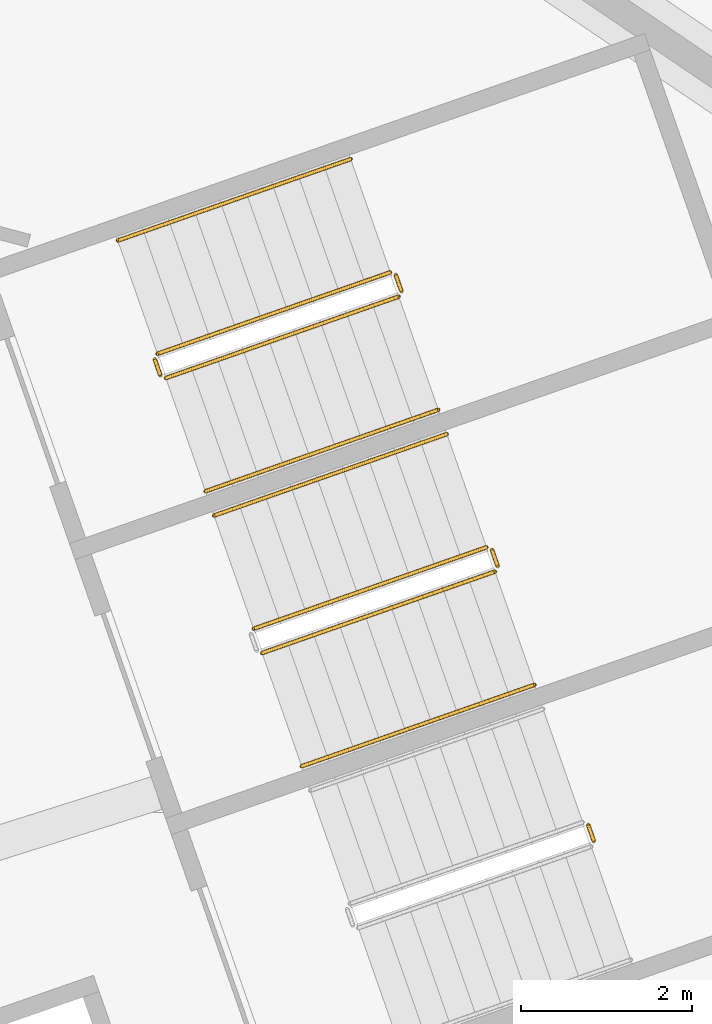
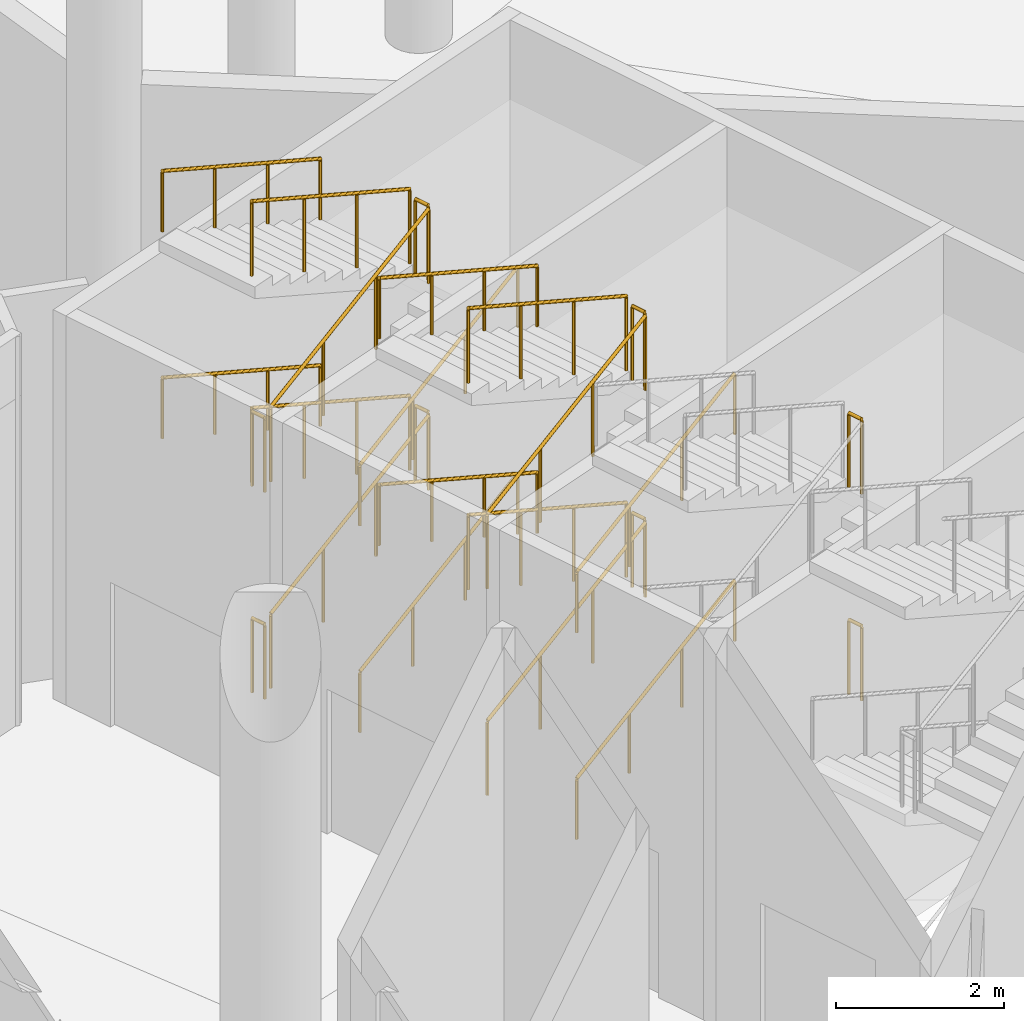
# One storey, part 244 of 249: 24 railings.
"""IFC4 building model written with IfcOpenShell, lengths in metres."""

from ifc_helpers import new_model, si_unit, direction, frame, origin, origin_2d, place, context, subcontext, project, spatial, circle, extrude, material, type_object, element, save


model = new_model("IFC4")

# Units and contexts
model_context = context("Model", 3, precision=1e-05, world=origin(), true_north=direction((0.0, 1.0)))
body_context = subcontext(model_context, "Body", "Model", "MODEL_VIEW")
ifc_project = project(units=[si_unit("LENGTHUNIT", "METRE"), si_unit("AREAUNIT", "SQUARE_METRE"), si_unit("VOLUMEUNIT", "CUBIC_METRE"), si_unit("PLANEANGLEUNIT", "RADIAN"), si_unit("MASSUNIT", "GRAM", prefix="KILO")], contexts=[model_context])

# Site, building, storey
site_placement = place(None, origin())
site = spatial("IfcSite", under=ifc_project, at=site_placement, CompositionType="ELEMENT")
building_placement = place(site_placement, origin())
building = spatial("IfcBuilding", under=site, at=building_placement, Name="Meseta Stadium", CompositionType="ELEMENT")
storey_placement = place(building_placement, frame((0.0, 0.0, 12.0)))
storey = spatial("IfcBuildingStorey", under=building, at=storey_placement, Name="L02", CompositionType="ELEMENT", Elevation=12.0)

# Railings
ifc_material_1 = material(Name="Steel S355", Category="steel")
railing_type_1 = type_object("IfcRailingType", Name="Stair guard 1100", PredefinedType="GUARDRAIL", material=ifc_material_1)
for number, where, name in (
    (1, (90.513427734375, 63.6689453125, 1.5), "ST22 L02 guard 2"),
    (2, (90.513427734375, 63.6689453125, 4.5), "ST22 L02 guard 6"),
):
    element("IfcRailing", number, at=place(storey_placement, frame(where)), inside=storey, type_object=railing_type_1, Name=name, PredefinedType="GUARDRAIL", context=body_context, shape_type="SweptSolid", body=[
        extrude(circle(Radius=0.02392578125, at=origin_2d()), frame((0.0, 0.0, 1.076171875), z_axis=(-0.330839792317, 0.943686935281, 0.0), x_axis=(-0.943686935281, -0.330839792317, 0.0)), (0.0, 0.0, 1.0), 0.199951171875),
        extrude(circle(Radius=0.02099609375, at=origin_2d()), origin(), (0.0, 0.0, 1.0), 1.052001953125),
        extrude(circle(Radius=0.02099609375, at=origin_2d()), frame((-0.066162109375, 0.188720703125, 0.0)), (0.0, 0.0, 1.0), 1.052001953125),
    ])
railing_1_placement = place(storey_placement, frame((86.641357421875, 65.86328125, 0.14990234375)))
element("IfcRailing", 3, at=railing_1_placement, inside=storey, type_object=railing_type_1, Name="ST23 L02 guard 1", PredefinedType="GUARDRAIL", context=body_context, shape_type="SweptSolid", body=[
    extrude(circle(Radius=0.02392578125, at=origin_2d()), frame((0.0, 0.0, 1.076171875), z_axis=(0.854649344405, 0.299031328765, 0.42444641891), x_axis=(-0.330256026668, 0.943891390388, 0.0)), (0.0, 0.0, 1.0), 3.180908203125),
    extrude(circle(Radius=0.02099609375, at=origin_2d()), origin(), (0.0, 0.0, 1.0), 1.052001953125),
    extrude(circle(Radius=0.02099609375, at=origin_2d()), frame((0.90625, 0.317138671875, 0.449951171875)), (0.0, 0.0, 1.0), 1.052001953125),
    extrude(circle(Radius=0.02099609375, at=origin_2d()), frame((1.812255859375, 0.634033203125, 0.900146484375)), (0.0, 0.0, 1.0), 1.052001953125),
    extrude(circle(Radius=0.02099609375, at=origin_2d()), frame((2.718505859375, 0.951171875, 1.35009765625)), (0.0, 0.0, 1.0), 1.052001953125),
])
railing_2_placement = place(storey_placement, frame((89.390380859375, 66.878173828125, 1.5)))
element("IfcRailing", 4, at=railing_2_placement, inside=storey, type_object=railing_type_1, Name="ST23 L02 guard 2", PredefinedType="GUARDRAIL", context=body_context, shape_type="SweptSolid", body=[
    extrude(circle(Radius=0.02392578125, at=origin_2d()), frame((0.0, 0.0, 1.076171875), z_axis=(-0.329751946816, 0.944067610699, 0.0), x_axis=(-0.944067610699, -0.329751946816, 0.0)), (0.0, 0.0, 1.0), 0.199951171875),
    extrude(circle(Radius=0.02099609375, at=origin_2d()), origin(), (0.0, 0.0, 1.0), 1.052001953125),
    extrude(circle(Radius=0.02099609375, at=origin_2d()), frame((-0.06591796875, 0.188720703125, 0.0)), (0.0, 0.0, 1.0), 1.052001953125),
])
railing_3_placement = place(storey_placement, frame((89.2607421875, 67.09765625, 1.64990234375)))
element("IfcRailing", 5, at=railing_3_placement, inside=storey, type_object=railing_type_1, Name="ST23 L02 guard 3", PredefinedType="GUARDRAIL", context=body_context, shape_type="SweptSolid", body=[
    extrude(circle(Radius=0.02392578125, at=origin_2d()), frame((0.0, 0.0, 1.076171875), z_axis=(-0.854629726927, -0.29910121651, 0.424436676238), x_axis=(0.330331545909, -0.943864963741, 0.0)), (0.0, 0.0, 1.0), 3.180908203125),
    extrude(circle(Radius=0.02099609375, at=origin_2d()), origin(), (0.0, 0.0, 1.0), 1.052001953125),
    extrude(circle(Radius=0.02099609375, at=origin_2d()), frame((-0.90625, -0.317138671875, 0.449951171875)), (0.0, 0.0, 1.0), 1.052001953125),
    extrude(circle(Radius=0.02099609375, at=origin_2d()), frame((-1.812255859375, -0.63427734375, 0.900146484375)), (0.0, 0.0, 1.0), 1.052001953125),
    extrude(circle(Radius=0.02099609375, at=origin_2d()), frame((-2.718505859375, -0.951416015625, 1.35009765625)), (0.0, 0.0, 1.0), 1.052001953125),
])
railing_4_placement = place(storey_placement, frame((86.641357421875, 65.86328125, 3.14990234375)))
element("IfcRailing", 6, at=railing_4_placement, inside=storey, type_object=railing_type_1, Name="ST23 L02 guard 5", PredefinedType="GUARDRAIL", context=body_context, shape_type="SweptSolid", body=[
    extrude(circle(Radius=0.02392578125, at=origin_2d()), frame((0.0, 0.0, 1.076171875), z_axis=(0.854649344405, 0.299031328765, 0.42444641891), x_axis=(-0.330256026668, 0.943891390388, 0.0)), (0.0, 0.0, 1.0), 3.180908203125),
    extrude(circle(Radius=0.02099609375, at=origin_2d()), origin(), (0.0, 0.0, 1.0), 1.052001953125),
    extrude(circle(Radius=0.02099609375, at=origin_2d()), frame((0.90625, 0.317138671875, 0.449951171875)), (0.0, 0.0, 1.0), 1.052001953125),
    extrude(circle(Radius=0.02099609375, at=origin_2d()), frame((1.812255859375, 0.634033203125, 0.900146484375)), (0.0, 0.0, 1.0), 1.052001953125),
    extrude(circle(Radius=0.02099609375, at=origin_2d()), frame((2.718505859375, 0.951171875, 1.35009765625)), (0.0, 0.0, 1.0), 1.052001953125),
])
railing_5_placement = place(storey_placement, frame((89.390380859375, 66.878173828125, 4.5)))
element("IfcRailing", 7, at=railing_5_placement, inside=storey, type_object=railing_type_1, Name="ST23 L02 guard 6", PredefinedType="GUARDRAIL", context=body_context, shape_type="SweptSolid", body=[
    extrude(circle(Radius=0.02392578125, at=origin_2d()), frame((0.0, 0.0, 1.076171875), z_axis=(-0.329751946816, 0.944067610699, 0.0), x_axis=(-0.944067610699, -0.329751946816, 0.0)), (0.0, 0.0, 1.0), 0.199951171875),
    extrude(circle(Radius=0.02099609375, at=origin_2d()), origin(), (0.0, 0.0, 1.0), 1.052001953125),
    extrude(circle(Radius=0.02099609375, at=origin_2d()), frame((-0.06591796875, 0.188720703125, 0.0)), (0.0, 0.0, 1.0), 1.052001953125),
])
railing_6_placement = place(storey_placement, frame((89.2607421875, 67.09765625, 4.64990234375)))
element("IfcRailing", 8, at=railing_6_placement, inside=storey, type_object=railing_type_1, Name="ST23 L02 guard 7", PredefinedType="GUARDRAIL", context=body_context, shape_type="SweptSolid", body=[
    extrude(circle(Radius=0.02392578125, at=origin_2d()), frame((0.0, 0.0, 1.076171875), z_axis=(-0.854629726927, -0.29910121651, 0.424436676238), x_axis=(0.330331545909, -0.943864963741, 0.0)), (0.0, 0.0, 1.0), 3.180908203125),
    extrude(circle(Radius=0.02099609375, at=origin_2d()), origin(), (0.0, 0.0, 1.0), 1.052001953125),
    extrude(circle(Radius=0.02099609375, at=origin_2d()), frame((-0.90625, -0.317138671875, 0.449951171875)), (0.0, 0.0, 1.0), 1.052001953125),
    extrude(circle(Radius=0.02099609375, at=origin_2d()), frame((-1.812255859375, -0.63427734375, 0.900146484375)), (0.0, 0.0, 1.0), 1.052001953125),
    extrude(circle(Radius=0.02099609375, at=origin_2d()), frame((-2.718505859375, -0.951416015625, 1.35009765625)), (0.0, 0.0, 1.0), 1.052001953125),
])
railing_7_placement = place(storey_placement, frame((85.518310546875, 69.072509765625, 0.14990234375)))
element("IfcRailing", 9, at=railing_7_placement, inside=storey, type_object=railing_type_1, Name="ST24 L02 guard 1", PredefinedType="GUARDRAIL", context=body_context, shape_type="SweptSolid", body=[
    extrude(circle(Radius=0.02392578125, at=origin_2d()), frame((0.0, 0.0, 1.076171875), z_axis=(0.854649344405, 0.299031328765, 0.42444641891), x_axis=(-0.330256026668, 0.943891390388, 0.0)), (0.0, 0.0, 1.0), 3.180908203125),
    extrude(circle(Radius=0.02099609375, at=origin_2d()), origin(), (0.0, 0.0, 1.0), 1.052001953125),
    extrude(circle(Radius=0.02099609375, at=origin_2d()), frame((0.90625, 0.317138671875, 0.449951171875)), (0.0, 0.0, 1.0), 1.052001953125),
    extrude(circle(Radius=0.02099609375, at=origin_2d()), frame((1.812255859375, 0.634033203125, 0.900146484375)), (0.0, 0.0, 1.0), 1.052001953125),
    extrude(circle(Radius=0.02099609375, at=origin_2d()), frame((2.718505859375, 0.951171875, 1.35009765625)), (0.0, 0.0, 1.0), 1.052001953125),
])
railing_8_placement = place(storey_placement, frame((88.267578125, 70.08740234375, 1.5)))
element("IfcRailing", 10, at=railing_8_placement, inside=storey, type_object=railing_type_1, Name="ST24 L02 guard 2", PredefinedType="GUARDRAIL", context=body_context, shape_type="SweptSolid", body=[
    extrude(circle(Radius=0.02392578125, at=origin_2d()), frame((0.0, 0.0, 1.076171875), z_axis=(-0.330839792317, 0.943686935281, 0.0), x_axis=(-0.943686935281, -0.330839792317, 0.0)), (0.0, 0.0, 1.0), 0.199951171875),
    extrude(circle(Radius=0.02099609375, at=origin_2d()), origin(), (0.0, 0.0, 1.0), 1.052001953125),
    extrude(circle(Radius=0.02099609375, at=origin_2d()), frame((-0.066162109375, 0.188720703125, 0.0)), (0.0, 0.0, 1.0), 1.052001953125),
])
railing_9_placement = place(storey_placement, frame((88.1376953125, 70.306640625, 1.64990234375)))
element("IfcRailing", 11, at=railing_9_placement, inside=storey, type_object=railing_type_1, Name="ST24 L02 guard 3", PredefinedType="GUARDRAIL", context=body_context, shape_type="SweptSolid", body=[
    extrude(circle(Radius=0.02392578125, at=origin_2d()), frame((0.0, 0.0, 1.076171875), z_axis=(-0.854628651604, -0.299050945451, 0.424474262922), x_axis=(0.33028245302, -0.943882143717, 0.0)), (0.0, 0.0, 1.0), 3.1806640625),
    extrude(circle(Radius=0.02099609375, at=origin_2d()), origin(), (0.0, 0.0, 1.0), 1.052001953125),
    extrude(circle(Radius=0.02099609375, at=origin_2d()), frame((-0.906005859375, -0.317138671875, 0.449951171875)), (0.0, 0.0, 1.0), 1.052001953125),
    extrude(circle(Radius=0.02099609375, at=origin_2d()), frame((-1.812255859375, -0.634033203125, 0.900146484375)), (0.0, 0.0, 1.0), 1.052001953125),
    extrude(circle(Radius=0.02099609375, at=origin_2d()), frame((-2.71826171875, -0.951171875, 1.35009765625)), (0.0, 0.0, 1.0), 1.052001953125),
])
railing_10_placement = place(storey_placement, frame((85.454833984375, 69.10302734375, 3.0)))
element("IfcRailing", 12, at=railing_10_placement, inside=storey, type_object=railing_type_1, Name="ST24 L02 guard 4", PredefinedType="GUARDRAIL", context=body_context, shape_type="SweptSolid", body=[
    extrude(circle(Radius=0.02392578125, at=origin_2d()), frame((0.0, 0.0, 1.076171875), z_axis=(-0.330839792317, 0.943686935281, 0.0), x_axis=(-0.943686935281, -0.330839792317, 0.0)), (0.0, 0.0, 1.0), 0.199951171875),
    extrude(circle(Radius=0.02099609375, at=origin_2d()), origin(), (0.0, 0.0, 1.0), 1.052001953125),
    extrude(circle(Radius=0.02099609375, at=origin_2d()), frame((-0.066162109375, 0.188720703125, 0.0)), (0.0, 0.0, 1.0), 1.052001953125),
])
railing_11_placement = place(storey_placement, frame((85.518310546875, 69.072509765625, 3.14990234375)))
element("IfcRailing", 13, at=railing_11_placement, inside=storey, type_object=railing_type_1, Name="ST24 L02 guard 5", PredefinedType="GUARDRAIL", context=body_context, shape_type="SweptSolid", body=[
    extrude(circle(Radius=0.02392578125, at=origin_2d()), frame((0.0, 0.0, 1.076171875), z_axis=(0.854649344405, 0.299031328765, 0.42444641891), x_axis=(-0.330256026668, 0.943891390388, 0.0)), (0.0, 0.0, 1.0), 3.180908203125),
    extrude(circle(Radius=0.02099609375, at=origin_2d()), origin(), (0.0, 0.0, 1.0), 1.052001953125),
    extrude(circle(Radius=0.02099609375, at=origin_2d()), frame((0.90625, 0.317138671875, 0.449951171875)), (0.0, 0.0, 1.0), 1.052001953125),
    extrude(circle(Radius=0.02099609375, at=origin_2d()), frame((1.812255859375, 0.634033203125, 0.900146484375)), (0.0, 0.0, 1.0), 1.052001953125),
    extrude(circle(Radius=0.02099609375, at=origin_2d()), frame((2.718505859375, 0.951171875, 1.35009765625)), (0.0, 0.0, 1.0), 1.052001953125),
])
railing_12_placement = place(storey_placement, frame((88.267578125, 70.08740234375, 4.5)))
element("IfcRailing", 14, at=railing_12_placement, inside=storey, type_object=railing_type_1, Name="ST24 L02 guard 6", PredefinedType="GUARDRAIL", context=body_context, shape_type="SweptSolid", body=[
    extrude(circle(Radius=0.02392578125, at=origin_2d()), frame((0.0, 0.0, 1.076171875), z_axis=(-0.330839792317, 0.943686935281, 0.0), x_axis=(-0.943686935281, -0.330839792317, 0.0)), (0.0, 0.0, 1.0), 0.199951171875),
    extrude(circle(Radius=0.02099609375, at=origin_2d()), origin(), (0.0, 0.0, 1.0), 1.052001953125),
    extrude(circle(Radius=0.02099609375, at=origin_2d()), frame((-0.066162109375, 0.188720703125, 0.0)), (0.0, 0.0, 1.0), 1.052001953125),
])
railing_13_placement = place(storey_placement, frame((88.1376953125, 70.306640625, 4.64990234375)))
element("IfcRailing", 15, at=railing_13_placement, inside=storey, type_object=railing_type_1, Name="ST24 L02 guard 7", PredefinedType="GUARDRAIL", context=body_context, shape_type="SweptSolid", body=[
    extrude(circle(Radius=0.02392578125, at=origin_2d()), frame((0.0, 0.0, 1.076171875), z_axis=(-0.854628651604, -0.299050945451, 0.424474262922), x_axis=(0.33028245302, -0.943882143717, 0.0)), (0.0, 0.0, 1.0), 3.1806640625),
    extrude(circle(Radius=0.02099609375, at=origin_2d()), origin(), (0.0, 0.0, 1.0), 1.052001953125),
    extrude(circle(Radius=0.02099609375, at=origin_2d()), frame((-0.906005859375, -0.317138671875, 0.449951171875)), (0.0, 0.0, 1.0), 1.052001953125),
    extrude(circle(Radius=0.02099609375, at=origin_2d()), frame((-1.812255859375, -0.634033203125, 0.900146484375)), (0.0, 0.0, 1.0), 1.052001953125),
    extrude(circle(Radius=0.02099609375, at=origin_2d()), frame((-2.71826171875, -0.951171875, 1.35009765625)), (0.0, 0.0, 1.0), 1.052001953125),
])
railing_14_placement = place(storey_placement, frame((85.454833984375, 69.10302734375, 0.0)))
element("IfcRailing", 16, at=railing_14_placement, inside=storey, type_object=railing_type_1, Name="ST24 L02 guard 8", PredefinedType="GUARDRAIL", context=body_context, shape_type="SweptSolid", body=[
    extrude(circle(Radius=0.02392578125, at=origin_2d()), frame((0.0, 0.0, 1.076171875), z_axis=(-0.330839792317, 0.943686935281, 0.0), x_axis=(-0.943686935281, -0.330839792317, 0.0)), (0.0, 0.0, 1.0), 0.199951171875),
    extrude(circle(Radius=0.02099609375, at=origin_2d()), origin(), (0.0, 0.0, 1.0), 1.052001953125),
    extrude(circle(Radius=0.02099609375, at=origin_2d()), frame((-0.066162109375, 0.188720703125, 0.0)), (0.0, 0.0, 1.0), 1.052001953125),
])
ifc_material_2 = material(Name="Steel S355", Category="steel")
railing_type_2 = type_object("IfcRailingType", Name="Stair handrail 900", PredefinedType="HANDRAIL", material=ifc_material_2)
railing_15_placement = place(storey_placement, frame((87.103759765625, 64.541748046875, 0.14990234375)))
element("IfcRailing", 17, at=railing_15_placement, inside=storey, type_object=railing_type_2, Name="ST23 L02 handrail 1", PredefinedType="HANDRAIL", context=body_context, shape_type="SweptSolid", body=[
    extrude(circle(Radius=0.02392578125, at=origin_2d()), frame((0.0, 0.0, 0.8759765625), z_axis=(0.854649344405, 0.299031328765, 0.42444641891), x_axis=(-0.330256026668, 0.943891390388, 0.0)), (0.0, 0.0, 1.0), 3.180908203125),
    extrude(circle(Radius=0.02099609375, at=origin_2d()), origin(), (0.0, 0.0, 1.0), 0.851806640625),
    extrude(circle(Radius=0.02099609375, at=origin_2d()), frame((0.90625, 0.317138671875, 0.449951171875)), (0.0, 0.0, 1.0), 0.851806640625),
    extrude(circle(Radius=0.02099609375, at=origin_2d()), frame((1.812255859375, 0.634033203125, 0.900146484375)), (0.0, 0.0, 1.0), 0.851806640625),
    extrude(circle(Radius=0.02099609375, at=origin_2d()), frame((2.718505859375, 0.951171875, 1.35009765625)), (0.0, 0.0, 1.0), 0.851806640625),
])
railing_16_placement = place(storey_placement, frame((88.79833984375, 68.4189453125, 1.64990234375)))
element("IfcRailing", 18, at=railing_16_placement, inside=storey, type_object=railing_type_2, Name="ST23 L02 handrail 2", PredefinedType="HANDRAIL", context=body_context, shape_type="SweptSolid", body=[
    extrude(circle(Radius=0.02392578125, at=origin_2d()), frame((0.0, 0.0, 0.8759765625), z_axis=(-0.854649344405, -0.299031328765, 0.42444641891), x_axis=(0.330256026668, -0.943891390388, 0.0)), (0.0, 0.0, 1.0), 3.180908203125),
    extrude(circle(Radius=0.02099609375, at=origin_2d()), origin(), (0.0, 0.0, 1.0), 0.851806640625),
    extrude(circle(Radius=0.02099609375, at=origin_2d()), frame((-0.90625, -0.317138671875, 0.449951171875)), (0.0, 0.0, 1.0), 0.851806640625),
    extrude(circle(Radius=0.02099609375, at=origin_2d()), frame((-1.812255859375, -0.634033203125, 0.900146484375)), (0.0, 0.0, 1.0), 0.851806640625),
    extrude(circle(Radius=0.02099609375, at=origin_2d()), frame((-2.718505859375, -0.951171875, 1.35009765625)), (0.0, 0.0, 1.0), 0.851806640625),
])
railing_17_placement = place(storey_placement, frame((87.103759765625, 64.541748046875, 3.14990234375)))
element("IfcRailing", 19, at=railing_17_placement, inside=storey, type_object=railing_type_2, Name="ST23 L02 handrail 3", PredefinedType="HANDRAIL", context=body_context, shape_type="SweptSolid", body=[
    extrude(circle(Radius=0.02392578125, at=origin_2d()), frame((0.0, 0.0, 0.8759765625), z_axis=(0.854649344405, 0.299031328765, 0.42444641891), x_axis=(-0.330256026668, 0.943891390388, 0.0)), (0.0, 0.0, 1.0), 3.180908203125),
    extrude(circle(Radius=0.02099609375, at=origin_2d()), origin(), (0.0, 0.0, 1.0), 0.851806640625),
    extrude(circle(Radius=0.02099609375, at=origin_2d()), frame((0.90625, 0.317138671875, 0.449951171875)), (0.0, 0.0, 1.0), 0.851806640625),
    extrude(circle(Radius=0.02099609375, at=origin_2d()), frame((1.812255859375, 0.634033203125, 0.900146484375)), (0.0, 0.0, 1.0), 0.851806640625),
    extrude(circle(Radius=0.02099609375, at=origin_2d()), frame((2.718505859375, 0.951171875, 1.35009765625)), (0.0, 0.0, 1.0), 0.851806640625),
])
railing_18_placement = place(storey_placement, frame((88.79833984375, 68.4189453125, 4.64990234375)))
element("IfcRailing", 20, at=railing_18_placement, inside=storey, type_object=railing_type_2, Name="ST23 L02 handrail 4", PredefinedType="HANDRAIL", context=body_context, shape_type="SweptSolid", body=[
    extrude(circle(Radius=0.02392578125, at=origin_2d()), frame((0.0, 0.0, 0.8759765625), z_axis=(-0.854649344405, -0.299031328765, 0.42444641891), x_axis=(0.330256026668, -0.943891390388, 0.0)), (0.0, 0.0, 1.0), 3.180908203125),
    extrude(circle(Radius=0.02099609375, at=origin_2d()), origin(), (0.0, 0.0, 1.0), 0.851806640625),
    extrude(circle(Radius=0.02099609375, at=origin_2d()), frame((-0.90625, -0.317138671875, 0.449951171875)), (0.0, 0.0, 1.0), 0.851806640625),
    extrude(circle(Radius=0.02099609375, at=origin_2d()), frame((-1.812255859375, -0.634033203125, 0.900146484375)), (0.0, 0.0, 1.0), 0.851806640625),
    extrude(circle(Radius=0.02099609375, at=origin_2d()), frame((-2.718505859375, -0.951171875, 1.35009765625)), (0.0, 0.0, 1.0), 0.851806640625),
])
railing_19_placement = place(storey_placement, frame((85.980712890625, 67.7509765625, 0.14990234375)))
element("IfcRailing", 21, at=railing_19_placement, inside=storey, type_object=railing_type_2, Name="ST24 L02 handrail 1", PredefinedType="HANDRAIL", context=body_context, shape_type="SweptSolid", body=[
    extrude(circle(Radius=0.02392578125, at=origin_2d()), frame((0.0, 0.0, 0.8759765625), z_axis=(0.854649344405, 0.299031328765, 0.42444641891), x_axis=(-0.330256026668, 0.943891390388, 0.0)), (0.0, 0.0, 1.0), 3.180908203125),
    extrude(circle(Radius=0.02099609375, at=origin_2d()), origin(), (0.0, 0.0, 1.0), 0.851806640625),
    extrude(circle(Radius=0.02099609375, at=origin_2d()), frame((0.90625, 0.317138671875, 0.449951171875)), (0.0, 0.0, 1.0), 0.851806640625),
    extrude(circle(Radius=0.02099609375, at=origin_2d()), frame((1.812255859375, 0.634033203125, 0.900146484375)), (0.0, 0.0, 1.0), 0.851806640625),
    extrude(circle(Radius=0.02099609375, at=origin_2d()), frame((2.718505859375, 0.951171875, 1.35009765625)), (0.0, 0.0, 1.0), 0.851806640625),
])
railing_20_placement = place(storey_placement, frame((87.67529296875, 71.628173828125, 1.64990234375)))
element("IfcRailing", 22, at=railing_20_placement, inside=storey, type_object=railing_type_2, Name="ST24 L02 handrail 2", PredefinedType="HANDRAIL", context=body_context, shape_type="SweptSolid", body=[
    extrude(circle(Radius=0.02392578125, at=origin_2d()), frame((0.0, 0.0, 0.8759765625), z_axis=(-0.854628651604, -0.299050945451, 0.424474262922), x_axis=(0.33028245302, -0.943882143717, 0.0)), (0.0, 0.0, 1.0), 3.1806640625),
    extrude(circle(Radius=0.02099609375, at=origin_2d()), origin(), (0.0, 0.0, 1.0), 0.851806640625),
    extrude(circle(Radius=0.02099609375, at=origin_2d()), frame((-0.906005859375, -0.317138671875, 0.449951171875)), (0.0, 0.0, 1.0), 0.851806640625),
    extrude(circle(Radius=0.02099609375, at=origin_2d()), frame((-1.812255859375, -0.634033203125, 0.900146484375)), (0.0, 0.0, 1.0), 0.851806640625),
    extrude(circle(Radius=0.02099609375, at=origin_2d()), frame((-2.71826171875, -0.951171875, 1.35009765625)), (0.0, 0.0, 1.0), 0.851806640625),
])
railing_21_placement = place(storey_placement, frame((85.980712890625, 67.7509765625, 3.14990234375)))
element("IfcRailing", 23, at=railing_21_placement, inside=storey, type_object=railing_type_2, Name="ST24 L02 handrail 3", PredefinedType="HANDRAIL", context=body_context, shape_type="SweptSolid", body=[
    extrude(circle(Radius=0.02392578125, at=origin_2d()), frame((0.0, 0.0, 0.8759765625), z_axis=(0.854649344405, 0.299031328765, 0.42444641891), x_axis=(-0.330256026668, 0.943891390388, 0.0)), (0.0, 0.0, 1.0), 3.180908203125),
    extrude(circle(Radius=0.02099609375, at=origin_2d()), origin(), (0.0, 0.0, 1.0), 0.851806640625),
    extrude(circle(Radius=0.02099609375, at=origin_2d()), frame((0.90625, 0.317138671875, 0.449951171875)), (0.0, 0.0, 1.0), 0.851806640625),
    extrude(circle(Radius=0.02099609375, at=origin_2d()), frame((1.812255859375, 0.634033203125, 0.900146484375)), (0.0, 0.0, 1.0), 0.851806640625),
    extrude(circle(Radius=0.02099609375, at=origin_2d()), frame((2.718505859375, 0.951171875, 1.35009765625)), (0.0, 0.0, 1.0), 0.851806640625),
])
railing_22_placement = place(storey_placement, frame((87.67529296875, 71.628173828125, 4.64990234375)))
element("IfcRailing", 24, at=railing_22_placement, inside=storey, type_object=railing_type_2, Name="ST24 L02 handrail 4", PredefinedType="HANDRAIL", context=body_context, shape_type="SweptSolid", body=[
    extrude(circle(Radius=0.02392578125, at=origin_2d()), frame((0.0, 0.0, 0.8759765625), z_axis=(-0.854628651604, -0.299050945451, 0.424474262922), x_axis=(0.33028245302, -0.943882143717, 0.0)), (0.0, 0.0, 1.0), 3.1806640625),
    extrude(circle(Radius=0.02099609375, at=origin_2d()), origin(), (0.0, 0.0, 1.0), 0.851806640625),
    extrude(circle(Radius=0.02099609375, at=origin_2d()), frame((-0.906005859375, -0.317138671875, 0.449951171875)), (0.0, 0.0, 1.0), 0.851806640625),
    extrude(circle(Radius=0.02099609375, at=origin_2d()), frame((-1.812255859375, -0.634033203125, 0.900146484375)), (0.0, 0.0, 1.0), 0.851806640625),
    extrude(circle(Radius=0.02099609375, at=origin_2d()), frame((-2.71826171875, -0.951171875, 1.35009765625)), (0.0, 0.0, 1.0), 0.851806640625),
])

save(model, "model.ifc")
